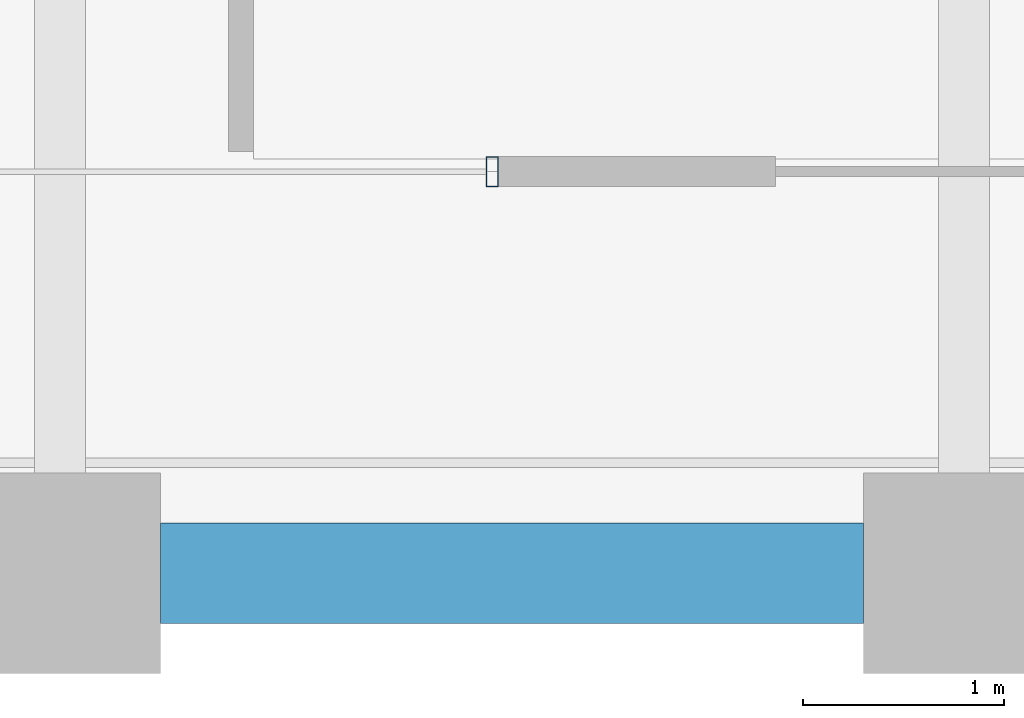
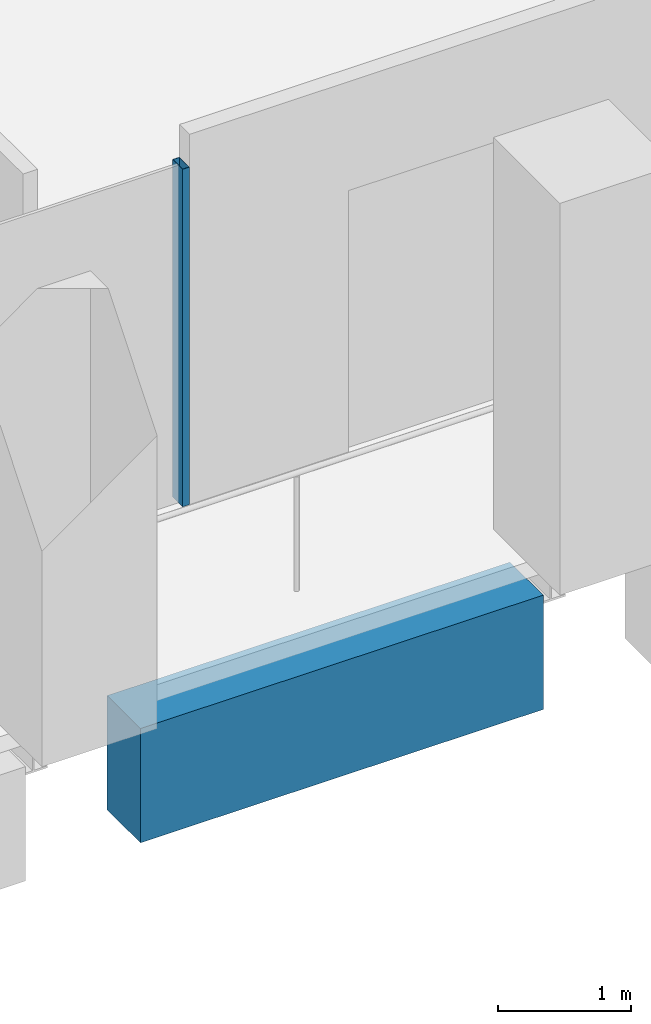
# One storey, part 7 of 46: 1 beam, 1 member, 1 element without a shape of its own.
"""IFC4 building model written with IfcOpenShell, lengths in metres."""

from ifc_helpers import new_model, si_unit, direction, frame, origin, origin_2d, place, context, subcontext, project, spatial, rectangle, hollow_rectangle, extrude, material, material_profile, profile_set, type_object, element, aggregate, save


model = new_model("IFC4")

# Units and contexts
model_context = context("Model", 3, precision=1e-05, world=origin(), true_north=direction((0.0, 1.0)))
body_context = subcontext(model_context, "Body", "Model", "MODEL_VIEW")
ifc_project = project(units=[si_unit("LENGTHUNIT", "METRE"), si_unit("AREAUNIT", "SQUARE_METRE"), si_unit("VOLUMEUNIT", "CUBIC_METRE"), si_unit("PLANEANGLEUNIT", "RADIAN"), si_unit("MASSUNIT", "GRAM", prefix="KILO")], contexts=[model_context])

# Site, building, storey
site_placement = place(None, origin())
site = spatial("IfcSite", under=ifc_project, at=site_placement, CompositionType="ELEMENT")
building_placement = place(site_placement, origin())
building = spatial("IfcBuilding", under=site, at=building_placement, Name="Altepetl Exchange Towers", CompositionType="ELEMENT")
storey_placement = place(building_placement, frame((0.0, 0.0, 135.199951171875)))
storey = spatial("IfcBuildingStorey", under=building, at=storey_placement, Name="L33", CompositionType="ELEMENT", Elevation=135.199951171875)

# Curtain wall, member
ifc_material_1 = material(Name="Aluminium 6063-T6 glazing", Category="aluminium")
curtain_wall_type = type_object("IfcCurtainWallType", Name="Loggia glazing system", PredefinedType="NOTDEFINED", material=ifc_material_1)
curtain_wall_placement = place(storey_placement, origin())
curtain_wall = element("IfcCurtainWall", 1, at=curtain_wall_placement, inside=storey, type_object=curtain_wall_type, Name="CW1 run", PredefinedType="NOTDEFINED")
ifc_material_2 = material(Name="Aluminium 6063-T6", Category="aluminium")
ifc_material_profile_1 = material_profile(ifc_material_2, hollow_rectangle(XDim=0.06005859375, YDim=0.14990234375, WallThickness=0.0029296875, at=origin_2d()), Name="Mullion 60x150 aluminium")
ifc_profile_set_1 = profile_set([ifc_material_profile_1], Name="Aluminium 6063-T6")
member_type = type_object("IfcMemberType", Name="Mullion 60x150 aluminium", PredefinedType="MULLION", material=ifc_profile_set_1)
member_placement = place(storey_placement, frame((47.152099609375, 29.0, 0.0)))
member = element("IfcMember", 2, at=member_placement, type_object=member_type, Name="MU1 mullion", PredefinedType="MULLION", context=body_context, shape_type="SweptSolid", body=[
    extrude(hollow_rectangle(XDim=0.06005859375, YDim=0.14990234375, WallThickness=0.0029296875, at=origin_2d()), origin(), (0.0, 0.0, 1.0), 3.10009765625),
])
aggregate(curtain_wall, [member])

# Beam
ifc_material_3 = material(Name="Concrete C50/60 precast with cantera blanca facing", Category="concrete")
ifc_material_profile_2 = material_profile(ifc_material_3, rectangle(XDim=0.5, YDim=1.050048828125, at=origin_2d()), Name="500 x 1050")
ifc_profile_set_2 = profile_set([ifc_material_profile_2], Name="Concrete C50/60 precast with cantera blanca facing")
beam_type = type_object("IfcBeamType", Name="Spandrel beam 500x1050 cantera blanca", PredefinedType="SPANDREL", material=ifc_profile_set_2)
beam_placement = place(storey_placement, frame((45.5, 27.0, -0.675048828125), z_axis=(1.0, 0.0, 0.0), x_axis=(0.0, 1.0, 0.0)))
element("IfcBeam", 3, at=beam_placement, inside=storey, type_object=beam_type, Name="sp:A:L33:003", PredefinedType="SPANDREL", context=body_context, shape_type="SweptSolid", body=[
    extrude(rectangle(XDim=0.5, YDim=1.050048828125, at=origin_2d()), origin(), (0.0, 0.0, 1.0), 3.5),
])

save(model, "model.ifc")
